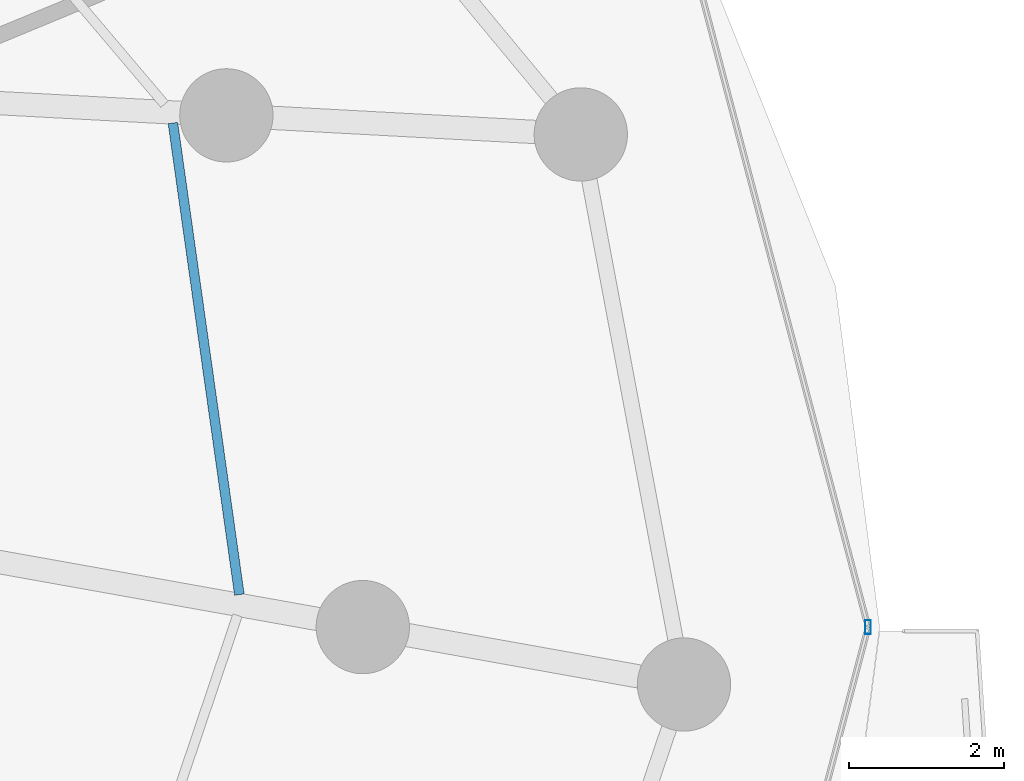
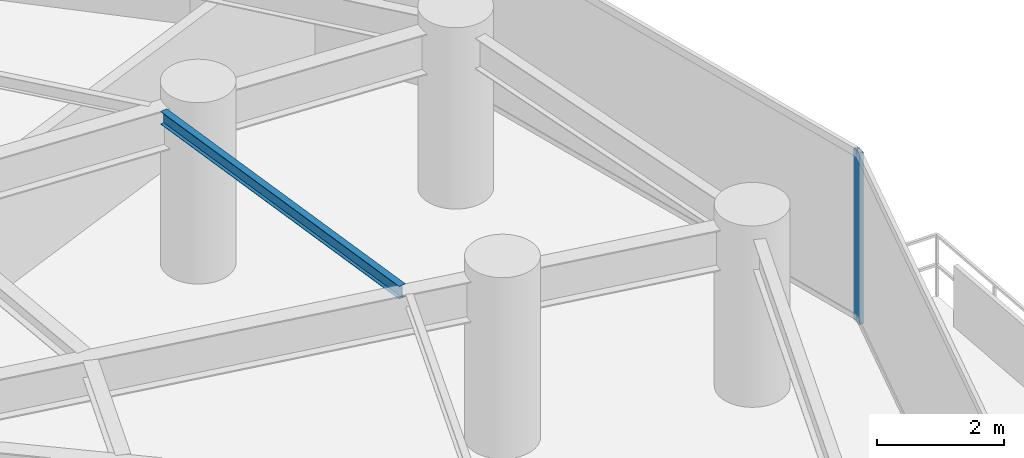
# One storey, part 16 of 35: 1 beam, 1 member, 1 element without a shape of its own.
"""IFC4 building model written with IfcOpenShell, lengths in metres."""

from ifc_helpers import new_model, si_unit, direction, frame, origin, origin_2d, place, context, subcontext, project, spatial, hollow_rectangle, i_section, extrude, material, material_profile, profile_set, type_object, element, aggregate, save


model = new_model("IFC4")

# Units and contexts
model_context = context("Model", 3, precision=1e-05, world=origin(), true_north=direction((0.0, 1.0)))
body_context = subcontext(model_context, "Body", "Model", "MODEL_VIEW")
ifc_project = project(units=[si_unit("LENGTHUNIT", "METRE"), si_unit("AREAUNIT", "SQUARE_METRE"), si_unit("VOLUMEUNIT", "CUBIC_METRE"), si_unit("PLANEANGLEUNIT", "RADIAN"), si_unit("MASSUNIT", "GRAM", prefix="KILO")], contexts=[model_context])

# Site, building, storey
site_placement = place(None, origin())
site = spatial("IfcSite", under=ifc_project, at=site_placement, CompositionType="ELEMENT")
building_placement = place(site_placement, origin())
building = spatial("IfcBuilding", under=site, at=building_placement, Name="Vorneva Point Tower", CompositionType="ELEMENT")
storey_placement = place(building_placement, frame((0.0, 0.0, 48.5)))
storey = spatial("IfcBuildingStorey", under=building, at=storey_placement, Name="L12", CompositionType="ELEMENT", Elevation=48.5)

# Beam
ifc_material_1 = material(Name="Steel S355", Category="steel")
ifc_material_profile_1 = material_profile(ifc_material_1, i_section(OverallWidth=0.1240234375, OverallDepth=0.248046875, WebThickness=0.0048828125, FlangeThickness=0.008056640625, at=origin_2d()), Name="25B1")
ifc_profile_set_1 = profile_set([ifc_material_profile_1], Name="Steel S355")
beam_type = type_object("IfcBeamType", Name="BM-JST-25B1", PredefinedType="JOIST", material=ifc_profile_set_1)
beam_placement = place(storey_placement, frame((59.462890625, 26.4169921875, 3.115966796875), z_axis=(-0.139552173053, 0.990214719642, 0.0), x_axis=(-0.990214719642, -0.139552173053, 0.0)))
element("IfcBeam", 1, at=beam_placement, inside=storey, type_object=beam_type, Name="L12 Secondary Floor Beam 1.01", PredefinedType="JOIST", context=body_context, shape_type="SweptSolid", body=[
    extrude(i_section(OverallWidth=0.1240234375, OverallDepth=0.248046875, WebThickness=0.0048828125, FlangeThickness=0.008056640625, at=origin_2d()), origin(), (0.0, 0.0, 1.0), 6.126708984375),
])

# Curtain wall, member
ifc_material_2 = material(Name="Pale anodised aluminium", Category="aluminium")
curtain_wall_type = type_object("IfcCurtainWallType", Name="CW-HTL-SYS", PredefinedType="NOTDEFINED", material=ifc_material_2)
curtain_wall_placement = place(storey_placement, origin())
curtain_wall = element("IfcCurtainWall", 2, at=curtain_wall_placement, inside=storey, type_object=curtain_wall_type, Name="L12 Unitised Curtain Wall CW-L12-R01", PredefinedType="NOTDEFINED")
ifc_material_profile_2 = material_profile(ifc_material_2, hollow_rectangle(XDim=0.074951171875, YDim=0.179931640625, WallThickness=0.00390625, at=origin_2d()), Name="AL-MUL 180x75x4")
ifc_profile_set_2 = profile_set([ifc_material_profile_2], Name="Pale anodised aluminium")
member_type = type_object("IfcMemberType", Name="CW-MUL-180", PredefinedType="MULLION", material=ifc_profile_set_2)
member_placement = place(storey_placement, frame((67.550048828125, 26.0, -0.0400390625), z_axis=(0.0, 0.0, 1.0), x_axis=(1.0, 0.0, 0.0)))
member = element("IfcMember", 3, at=member_placement, type_object=member_type, Name="CW-L12-R01 Mullion 04", PredefinedType="MULLION", context=body_context, shape_type="SweptSolid", body=[
    extrude(hollow_rectangle(XDim=0.074951171875, YDim=0.179931640625, WallThickness=0.00390625, at=origin_2d()), origin(), (0.0, 0.0, 1.0), 3.31005859375),
])
aggregate(curtain_wall, [member])

save(model, "model.ifc")
